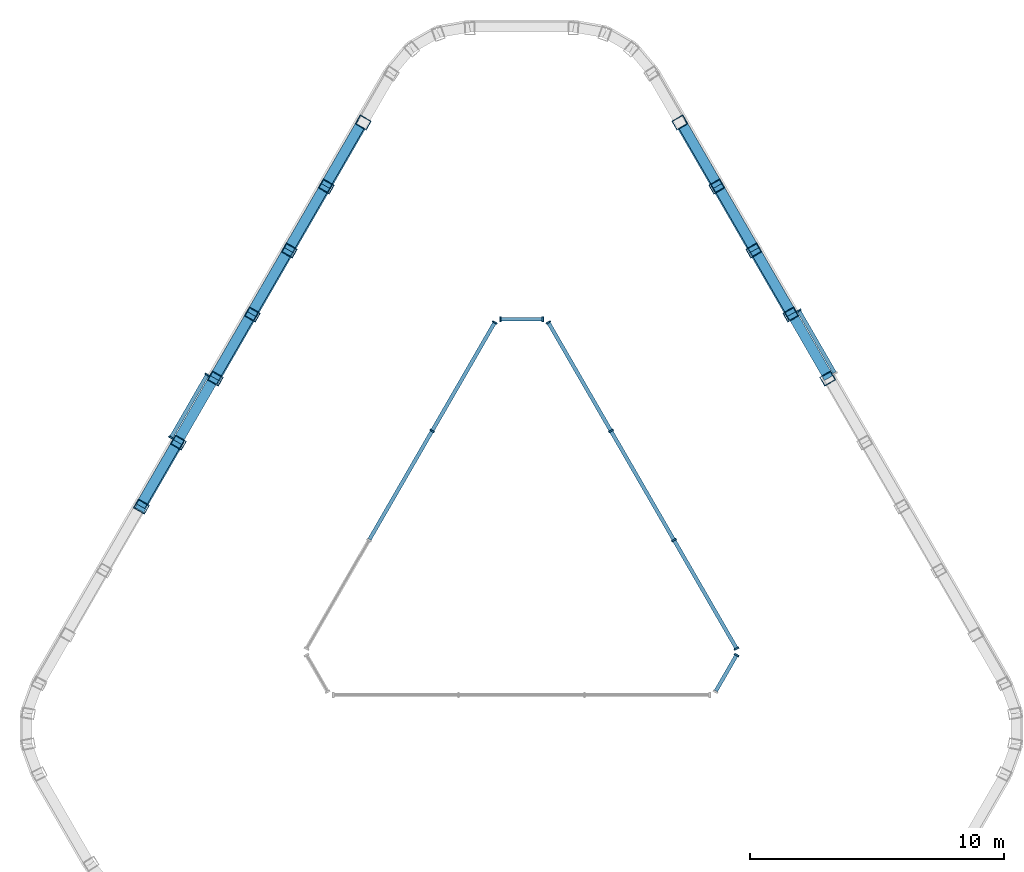
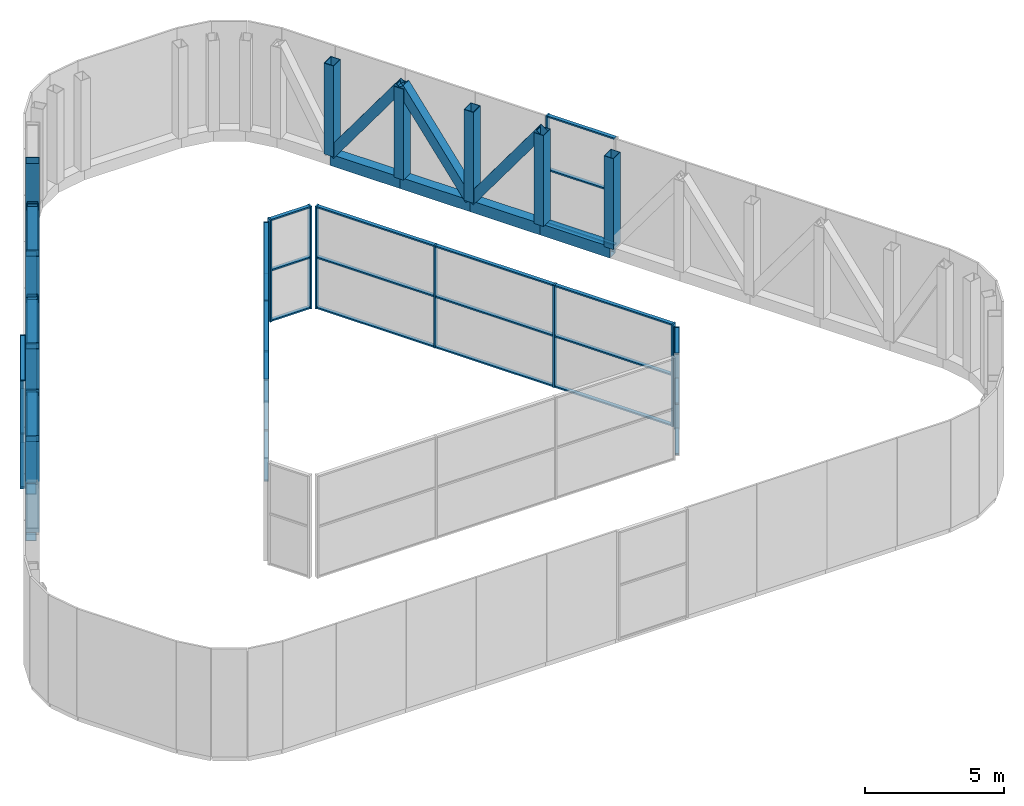
# One storey, part 2 of 5: 69 members, 6 elements without a shape of their own.
"""IFC4 building model written with IfcOpenShell, lengths in metres."""

from ifc_helpers import new_model, si_unit, direction, frame, origin, origin_2d, place, context, subcontext, project, spatial, rectangle, hollow_rectangle, extrude, material, layer, layer_set, material_profile, profile_set, type_object, element, aggregate, save


model = new_model("IFC4")

# Units and contexts
model_context = context("Model", 3, precision=1e-05, world=origin(), true_north=direction((0.0, 1.0)))
body_context = subcontext(model_context, "Body", "Model", "MODEL_VIEW")
ifc_project = project(units=[si_unit("LENGTHUNIT", "METRE"), si_unit("AREAUNIT", "SQUARE_METRE"), si_unit("VOLUMEUNIT", "CUBIC_METRE"), si_unit("PLANEANGLEUNIT", "RADIAN"), si_unit("MASSUNIT", "GRAM", prefix="KILO")], contexts=[model_context])

# Site, building, storey
site_placement = place(None, origin())
site = spatial("IfcSite", under=ifc_project, at=site_placement, CompositionType="ELEMENT")
building_placement = place(site_placement, origin())
building = spatial("IfcBuilding", under=site, at=building_placement, Name="Apuvela Tower Hotel", CompositionType="ELEMENT")
storey_placement = place(building_placement, frame((0.0, 0.0, 366.800048828125)))
storey = spatial("IfcBuildingStorey", under=building, at=storey_placement, Name="R-6 ROOF", CompositionType="ELEMENT", Elevation=366.800048828125)

# Members
ifc_material_1 = material(Name="Steel S355, black paint system", Category="steel")
ifc_material_profile_1 = material_profile(ifc_material_1, hollow_rectangle(XDim=0.39990234375, YDim=0.39990234375, WallThickness=0.01611328125, at=origin_2d()), Name="HSS 400x400x16")
ifc_profile_set_1 = profile_set([ifc_material_profile_1], Name="Steel S355, black paint system")
member_type_1 = type_object("IfcMemberType", Name="ENV-CROWN-BRACE-400x400", PredefinedType="BRACE", material=ifc_profile_set_1)
for number, where, z_axis, x_axis, name in (
    (1, (-6.236572265625, 17.050537109375, 0.25), (-0.294239887517, -0.50972631864, 0.808456534811), (0.866062731661, -0.499935340648, 0.0), "Crown frame brace 8"),
    (2, (-9.1484375, 12.0068359375, 0.25), (0.294292360305, 0.509682392621, 0.808465129315), (-0.866005469285, 0.500034525977, 0.0), "Crown frame brace 9"),
    (3, (-9.1484375, 12.0068359375, 0.25), (-0.294292360305, -0.509682392621, 0.808465129315), (0.866005469285, -0.500034525977, 0.0), "Crown frame brace 10"),
    (4, (-12.060302734375, 6.963134765625, 0.25), (0.294239887517, 0.50972631864, 0.808456534811), (-0.866062731661, 0.499935340648, 0.0), "Crown frame brace 11"),
    (5, (-14.972412109375, 1.91943359375, 0.25), (0.294292360305, 0.509682392621, 0.808465129315), (-0.866005469285, 0.500034525977, 0.0), "Crown frame brace 13"),
    (6, (9.1484375, 12.0068359375, 0.25), (0.294292360305, -0.509682392621, 0.808465129315), (0.866005469285, 0.500034525977, 0.0), "Crown frame brace 47"),
    (7, (9.1484375, 12.0068359375, 0.25), (-0.294292360305, 0.509682392621, 0.808465129315), (-0.866005469285, -0.500034525977, 0.0), "Crown frame brace 48"),
    (8, (6.236572265625, 17.050537109375, 0.25), (0.294239887517, -0.50972631864, 0.808456534811), (0.866062731661, 0.499935340648, 0.0), "Crown frame brace 49"),
):
    element("IfcMember", number, at=place(storey_placement, frame(where, z_axis=z_axis, x_axis=x_axis)), inside=storey, type_object=member_type_1, Name=name, PredefinedType="BRACE", context=body_context, shape_type="SweptSolid", body=[
        extrude(hollow_rectangle(XDim=0.39990234375, YDim=0.39990234375, WallThickness=0.01611328125, at=origin_2d()), origin(), (0.0, 0.0, 1.0), 4.94775390625),
    ])
ifc_material_profile_2 = material_profile(ifc_material_1, hollow_rectangle(XDim=0.39990234375, YDim=0.5, WallThickness=0.02001953125, at=origin_2d()), Name="HSS 500x400x20")
ifc_profile_set_2 = profile_set([ifc_material_profile_2], Name="Steel S355, black paint system")
member_type_2 = type_object("IfcMemberType", Name="ENV-CROWN-POST-500x400", PredefinedType="POST", material=ifc_profile_set_2)
for number, where, z_axis, x_axis, name in (
    (9, (-6.236572265625, 17.050537109375, 0.25), (0.0, 0.0, 1.0), (-0.5, -0.866025403784, 0.0), "Crown frame post 8"),
    (10, (-7.6923828125, 14.528564453125, 0.25), (0.0, 0.0, 1.0), (-0.5, -0.866025403784, 0.0), "Crown frame post 9"),
    (11, (-9.1484375, 12.0068359375, 0.25), (0.0, 0.0, 1.0), (-0.5, -0.866025403784, 0.0), "Crown frame post 10"),
    (12, (-10.6044921875, 9.485107421875, 0.25), (0.0, 0.0, 1.0), (-0.5, -0.866025403784, 0.0), "Crown frame post 11"),
    (13, (-12.060302734375, 6.963134765625, 0.25), (0.0, 0.0, 1.0), (-0.5, -0.866025403784, 0.0), "Crown frame post 12"),
    (14, (-13.516357421875, 4.441162109375, 0.25), (0.0, 0.0, 1.0), (-0.5, -0.866025403784, 0.0), "Crown frame post 13"),
    (15, (-14.972412109375, 1.91943359375, 0.25), (0.0, 0.0, 1.0), (-0.5, -0.866025403784, 0.0), "Crown frame post 14"),
    (16, (12.060302734375, 6.963134765625, 0.25), (0.0, 0.0, 1.0), (-0.5, 0.866025403784, 0.0), "Crown frame post 46"),
    (17, (10.6044921875, 9.485107421875, 0.25), (0.0, 0.0, 1.0), (-0.5, 0.866025403784, 0.0), "Crown frame post 47"),
    (18, (9.1484375, 12.0068359375, 0.25), (0.0, 0.0, 1.0), (-0.5, 0.866025403784, 0.0), "Crown frame post 48"),
    (19, (7.6923828125, 14.528564453125, 0.25), (0.0, 0.0, 1.0), (-0.5, 0.866025403784, 0.0), "Crown frame post 49"),
    (20, (6.236572265625, 17.050537109375, 0.25), (0.0, 0.0, 1.0), (-0.5, 0.866025403784, 0.0), "Crown frame post 50"),
):
    element("IfcMember", number, at=place(storey_placement, frame(where, z_axis=z_axis, x_axis=x_axis)), inside=storey, type_object=member_type_2, Name=name, PredefinedType="POST", context=body_context, shape_type="SweptSolid", body=[
        extrude(hollow_rectangle(XDim=0.39990234375, YDim=0.5, WallThickness=0.02001953125, at=origin_2d()), origin(), (0.0, 0.0, 1.0), 4.0),
    ])
ifc_material_profile_3 = material_profile(ifc_material_1, hollow_rectangle(XDim=0.39990234375, YDim=0.5, WallThickness=0.01611328125, at=origin_2d()), Name="HSS 500x400x16")
ifc_profile_set_3 = profile_set([ifc_material_profile_3], Name="Steel S355, black paint system")
member_type_3 = type_object("IfcMemberType", Name="ENV-CROWN-RING-500x400", PredefinedType="STRINGER", material=ifc_profile_set_3)
member_1_placement = place(storey_placement, frame((-6.27783203125, 17.07861328125, 0.0), z_axis=(-0.500015065024, -0.866016705814, 0.0), x_axis=(0.866016705814, -0.500015065024, 0.0)))
element("IfcMember", 21, at=member_1_placement, inside=storey, type_object=member_type_3, Name="Crown frame ring beam 6.8", PredefinedType="STRINGER", context=body_context, shape_type="SweptSolid", body=[
    extrude(hollow_rectangle(XDim=0.39990234375, YDim=0.5, WallThickness=0.01611328125, at=origin_2d()), origin(), (0.0, 0.0, 1.0), 2.9130859375),
])
for number, where, z_axis, x_axis, name in (
    (22, (-7.734375, 14.555908203125, 0.0), (-0.500051359076, -0.865995749577, 0.0), (0.865995749577, -0.500051359076, 0.0), "Crown frame ring beam 6.9"),
    (23, (-9.19091796875, 12.033447265625, 0.0), (-0.499952204256, -0.866052996912, 0.0), (0.866052996912, -0.499952204256, 0.0), "Crown frame ring beam 6.10"),
):
    element("IfcMember", number, at=place(storey_placement, frame(where, z_axis=z_axis, x_axis=x_axis)), inside=storey, type_object=member_type_3, Name=name, PredefinedType="STRINGER", context=body_context, shape_type="SweptSolid", body=[
        extrude(hollow_rectangle(XDim=0.39990234375, YDim=0.5, WallThickness=0.01611328125, at=origin_2d()), origin(), (0.0, 0.0, 1.0), 2.912841796875),
    ])
for number, where, z_axis, x_axis, name in (
    (24, (-10.647216796875, 9.5107421875, 0.0), (-0.500015065024, -0.866016705814, 0.0), (0.866016705814, -0.500015065024, 0.0), "Crown frame ring beam 6.11"),
    (25, (-12.103759765625, 6.988037109375, 0.0), (-0.500015065024, -0.866016705814, 0.0), (0.866016705814, -0.500015065024, 0.0), "Crown frame ring beam 6.12"),
):
    element("IfcMember", number, at=place(storey_placement, frame(where, z_axis=z_axis, x_axis=x_axis)), inside=storey, type_object=member_type_3, Name=name, PredefinedType="STRINGER", context=body_context, shape_type="SweptSolid", body=[
        extrude(hollow_rectangle(XDim=0.39990234375, YDim=0.5, WallThickness=0.01611328125, at=origin_2d()), origin(), (0.0, 0.0, 1.0), 2.9130859375),
    ])
member_2_placement = place(storey_placement, frame((-13.560302734375, 4.46533203125, 0.0), z_axis=(-0.499988496788, -0.866032045065, 0.0), x_axis=(0.866032045065, -0.499988496788, 0.0)))
element("IfcMember", 26, at=member_2_placement, inside=storey, type_object=member_type_3, Name="Crown frame ring beam 6.13", PredefinedType="STRINGER", context=body_context, shape_type="SweptSolid", body=[
    extrude(hollow_rectangle(XDim=0.39990234375, YDim=0.5, WallThickness=0.01611328125, at=origin_2d()), origin(), (0.0, 0.0, 1.0), 2.91259765625),
])
member_3_placement = place(storey_placement, frame((12.103759765625, 6.988037109375, 0.0), z_axis=(-0.500015065024, 0.866016705814, 0.0), x_axis=(-0.866016705814, -0.500015065024, 0.0)))
element("IfcMember", 27, at=member_3_placement, inside=storey, type_object=member_type_3, Name="Crown frame ring beam 6.46", PredefinedType="STRINGER", context=body_context, shape_type="SweptSolid", body=[
    extrude(hollow_rectangle(XDim=0.39990234375, YDim=0.5, WallThickness=0.01611328125, at=origin_2d()), origin(), (0.0, 0.0, 1.0), 2.9130859375),
])
for number, where, z_axis, x_axis, name in (
    (28, (10.647216796875, 9.5107421875, 0.0), (-0.499952204256, 0.866052996912, 0.0), (-0.866052996912, -0.499952204256, 0.0), "Crown frame ring beam 6.47"),
    (29, (9.19091796875, 12.033447265625, 0.0), (-0.500051359076, 0.865995749577, 0.0), (-0.865995749577, -0.500051359076, 0.0), "Crown frame ring beam 6.48"),
):
    element("IfcMember", number, at=place(storey_placement, frame(where, z_axis=z_axis, x_axis=x_axis)), inside=storey, type_object=member_type_3, Name=name, PredefinedType="STRINGER", context=body_context, shape_type="SweptSolid", body=[
        extrude(hollow_rectangle(XDim=0.39990234375, YDim=0.5, WallThickness=0.01611328125, at=origin_2d()), origin(), (0.0, 0.0, 1.0), 2.912841796875),
    ])
member_4_placement = place(storey_placement, frame((7.734375, 14.555908203125, 0.0), z_axis=(-0.500015065024, 0.866016705814, 0.0), x_axis=(-0.866016705814, -0.500015065024, 0.0)))
element("IfcMember", 30, at=member_4_placement, inside=storey, type_object=member_type_3, Name="Crown frame ring beam 6.49", PredefinedType="STRINGER", context=body_context, shape_type="SweptSolid", body=[
    extrude(hollow_rectangle(XDim=0.39990234375, YDim=0.5, WallThickness=0.01611328125, at=origin_2d()), origin(), (0.0, 0.0, 1.0), 2.9130859375),
])

# Curtain wall, members
ifc_material_2 = material(Name="Aluminium 6063-T6, dark bronze anodised", Category="aluminium")
ifc_layer_1 = layer(ifc_material_2, 0.199951171875)
ifc_layer_set_1 = layer_set([ifc_layer_1], Name="ENV-CW-C")
curtain_wall_type_1 = type_object("IfcCurtainWallType", Name="ENV-CW-C", PredefinedType="NOTDEFINED", material=ifc_layer_set_1)
curtain_wall_1_placement = place(storey_placement, origin())
curtain_wall_1 = element("IfcCurtainWall", 31, at=curtain_wall_1_placement, inside=storey, type_object=curtain_wall_type_1, Name="Crown glazing 12 R-6 ROOF", PredefinedType="NOTDEFINED")
ifc_material_profile_4 = material_profile(ifc_material_2, rectangle(XDim=0.199951171875, YDim=0.06494140625, at=origin_2d()), Name="AL 65x200")
ifc_profile_set_4 = profile_set([ifc_material_profile_4], Name="Aluminium 6063-T6, dark bronze anodised")
member_type_4 = type_object("IfcMemberType", Name="ENV-MULLION-65x200", PredefinedType="MULLION", material=ifc_profile_set_4)
member_5_placement = place(storey_placement, frame((-12.3798828125, 7.10986328125, 0.0), z_axis=(0.0, 0.0, 1.0), x_axis=(0.866036603266, -0.499980601426, 0.0)))
member_5 = element("IfcMember", 32, at=member_5_placement, type_object=member_type_4, Name="CW-C mullion 1", PredefinedType="MULLION", context=body_context, shape_type="SweptSolid", body=[
    extrude(rectangle(XDim=0.199951171875, YDim=0.06494140625, at=origin_2d()), origin(), (0.0, 0.0, 1.0), 4.75),
])
member_6_placement = place(storey_placement, frame((-13.805908203125, 4.6396484375, 0.0), z_axis=(0.0, 0.0, 1.0), x_axis=(0.866036603266, -0.499980601426, 0.0)))
member_6 = element("IfcMember", 33, at=member_6_placement, type_object=member_type_4, Name="CW-C mullion 2", PredefinedType="MULLION", context=body_context, shape_type="SweptSolid", body=[
    extrude(rectangle(XDim=0.199951171875, YDim=0.06494140625, at=origin_2d()), origin(), (0.0, 0.0, 1.0), 4.75),
])

# Curtain wall, member
curtain_wall_2_placement = place(storey_placement, origin())
curtain_wall_2 = element("IfcCurtainWall", 34, at=curtain_wall_2_placement, inside=storey, type_object=curtain_wall_type_1, Name="Crown glazing 46 R-6 ROOF", PredefinedType="NOTDEFINED")
member_7_placement = place(storey_placement, frame((10.921142578125, 9.636474609375, 0.0), z_axis=(0.0, 0.0, 1.0), x_axis=(-0.866021760657, -0.500006310028, 0.0)))
member_7 = element("IfcMember", 35, at=member_7_placement, type_object=member_type_4, Name="CW-C mullion 2", PredefinedType="MULLION", context=body_context, shape_type="SweptSolid", body=[
    extrude(rectangle(XDim=0.199951171875, YDim=0.06494140625, at=origin_2d()), origin(), (0.0, 0.0, 1.0), 4.75),
])

# Curtain wall, members
ifc_layer_2 = layer(ifc_material_2, 0.199951171875)
ifc_layer_set_2 = layer_set([ifc_layer_2], Name="ENV-CW-A")
curtain_wall_type_2 = type_object("IfcCurtainWallType", Name="ENV-CW-A", PredefinedType="NOTDEFINED", material=ifc_layer_set_2)
curtain_wall_3_placement = place(storey_placement, origin())
curtain_wall_3 = element("IfcCurtainWall", 36, at=curtain_wall_3_placement, inside=storey, type_object=curtain_wall_type_2, Name="Atrium glazing 1 R-6 ROOF", PredefinedType="NOTDEFINED")
member_8_placement = place(storey_placement, frame((0.83349609375, 9.300048828125, 0.0), z_axis=(0.0, 0.0, 1.0), x_axis=(0.0, -1.0, 0.0)))
member_8 = element("IfcMember", 37, at=member_8_placement, type_object=member_type_4, Name="CW-A mullion 1", PredefinedType="MULLION", context=body_context, shape_type="SweptSolid", body=[
    extrude(rectangle(XDim=0.199951171875, YDim=0.06494140625, at=origin_2d()), origin(), (0.0, 0.0, 1.0), 4.5),
])
member_9_placement = place(storey_placement, frame((-0.83349609375, 9.300048828125, 0.0), z_axis=(0.0, 0.0, 1.0), x_axis=(0.0, -1.0, 0.0)))
member_9 = element("IfcMember", 38, at=member_9_placement, type_object=member_type_4, Name="CW-A mullion 2", PredefinedType="MULLION", context=body_context, shape_type="SweptSolid", body=[
    extrude(rectangle(XDim=0.199951171875, YDim=0.06494140625, at=origin_2d()), origin(), (0.0, 0.0, 1.0), 4.5),
])

curtain_wall_4_placement = place(storey_placement, origin())
curtain_wall_4 = element("IfcCurtainWall", 39, at=curtain_wall_4_placement, inside=storey, type_object=curtain_wall_type_2, Name="Atrium glazing 2 R-6 ROOF", PredefinedType="NOTDEFINED")
member_10_placement = place(storey_placement, frame((-1.055419921875, 9.171875, 0.0), z_axis=(0.0, 0.0, 1.0), x_axis=(0.866025940778, -0.499999069899, 0.0)))
member_10 = element("IfcMember", 40, at=member_10_placement, type_object=member_type_4, Name="CW-A mullion 1", PredefinedType="MULLION", context=body_context, shape_type="SweptSolid", body=[
    extrude(rectangle(XDim=0.199951171875, YDim=0.06494140625, at=origin_2d()), origin(), (0.0, 0.0, 1.0), 4.5),
])
member_11_placement = place(storey_placement, frame((-3.521728515625, 4.89990234375, 0.0), z_axis=(0.0, 0.0, 1.0), x_axis=(0.866025940778, -0.499999069899, 0.0)))
member_11 = element("IfcMember", 41, at=member_11_placement, type_object=member_type_4, Name="CW-A mullion 2", PredefinedType="MULLION", context=body_context, shape_type="SweptSolid", body=[
    extrude(rectangle(XDim=0.199951171875, YDim=0.06494140625, at=origin_2d()), origin(), (0.0, 0.0, 1.0), 4.5),
])

# Curtain wall, member
curtain_wall_5_placement = place(storey_placement, origin())
curtain_wall_5 = element("IfcCurtainWall", 42, at=curtain_wall_5_placement, inside=storey, type_object=curtain_wall_type_2, Name="Atrium glazing 5 R-6 ROOF", PredefinedType="NOTDEFINED")
member_12_placement = place(storey_placement, frame((8.470703125, -3.92822265625, 0.0), z_axis=(0.0, 0.0, 1.0), x_axis=(-0.866031754706, 0.49998899972, 0.0)))
member_12 = element("IfcMember", 43, at=member_12_placement, type_object=member_type_4, Name="CW-A mullion 2", PredefinedType="MULLION", context=body_context, shape_type="SweptSolid", body=[
    extrude(rectangle(XDim=0.199951171875, YDim=0.06494140625, at=origin_2d()), origin(), (0.0, 0.0, 1.0), 4.5),
])

# Curtain wall, members
curtain_wall_6_placement = place(storey_placement, origin())
curtain_wall_6 = element("IfcCurtainWall", 44, at=curtain_wall_6_placement, inside=storey, type_object=curtain_wall_type_2, Name="Atrium glazing 6 R-6 ROOF", PredefinedType="NOTDEFINED")
member_13_placement = place(storey_placement, frame((8.470703125, -3.671875, 0.0), z_axis=(0.0, 0.0, 1.0), x_axis=(-0.866025940778, -0.499999069899, 0.0)))
member_13 = element("IfcMember", 45, at=member_13_placement, type_object=member_type_4, Name="CW-A mullion 1", PredefinedType="MULLION", context=body_context, shape_type="SweptSolid", body=[
    extrude(rectangle(XDim=0.199951171875, YDim=0.06494140625, at=origin_2d()), origin(), (0.0, 0.0, 1.0), 4.5),
])
member_14_placement = place(storey_placement, frame((6.00439453125, 0.60009765625, 0.0), z_axis=(0.0, 0.0, 1.0), x_axis=(-0.866025940778, -0.499999069899, 0.0)))
member_14 = element("IfcMember", 46, at=member_14_placement, type_object=member_type_4, Name="CW-A mullion 2", PredefinedType="MULLION", context=body_context, shape_type="SweptSolid", body=[
    extrude(rectangle(XDim=0.199951171875, YDim=0.06494140625, at=origin_2d()), origin(), (0.0, 0.0, 1.0), 4.5),
])
member_15_placement = place(storey_placement, frame((3.521728515625, 4.89990234375, 0.0), z_axis=(0.0, 0.0, 1.0), x_axis=(-0.866025940778, -0.499999069899, 0.0)))
member_15 = element("IfcMember", 47, at=member_15_placement, type_object=member_type_4, Name="CW-A mullion 3", PredefinedType="MULLION", context=body_context, shape_type="SweptSolid", body=[
    extrude(rectangle(XDim=0.199951171875, YDim=0.06494140625, at=origin_2d()), origin(), (0.0, 0.0, 1.0), 4.5),
])
member_16_placement = place(storey_placement, frame((1.055419921875, 9.171875, 0.0), z_axis=(0.0, 0.0, 1.0), x_axis=(-0.866025940778, -0.499999069899, 0.0)))
member_16 = element("IfcMember", 48, at=member_16_placement, type_object=member_type_4, Name="CW-A mullion 4", PredefinedType="MULLION", context=body_context, shape_type="SweptSolid", body=[
    extrude(rectangle(XDim=0.199951171875, YDim=0.06494140625, at=origin_2d()), origin(), (0.0, 0.0, 1.0), 4.5),
])

# Member
ifc_material_profile_5 = material_profile(ifc_material_2, rectangle(XDim=0.14990234375, YDim=0.06494140625, at=origin_2d()), Name="AL 65x150 transom")
ifc_profile_set_5 = profile_set([ifc_material_profile_5], Name="Aluminium 6063-T6, dark bronze anodised")
member_type_5 = type_object("IfcMemberType", Name="ENV-TRANSOM-65x150", PredefinedType="USERDEFINED", material=ifc_profile_set_5)
member_17_placement = place(storey_placement, frame((-12.39599609375, 7.081787109375, 0.032470703125), z_axis=(-0.500048472683, -0.865997416259, 0.0), x_axis=(0.865997416259, -0.500048472683, 0.0)))
member_17 = element("IfcMember", 49, at=member_17_placement, type_object=member_type_5, Name="CW-C transom 1.1", ObjectType="TRANSOM", PredefinedType="USERDEFINED", context=body_context, shape_type="SweptSolid", body=[
    extrude(rectangle(XDim=0.14990234375, YDim=0.06494140625, at=origin_2d()), origin(), (0.0, 0.0, 1.0), 2.787353515625),
])

member_18_placement = place(storey_placement, frame((-12.39599609375, 7.081787109375, 2.375), z_axis=(-0.500048472683, -0.865997416259, 0.0), x_axis=(0.865997416259, -0.500048472683, 0.0)))
member_18 = element("IfcMember", 50, at=member_18_placement, type_object=member_type_5, Name="CW-C transom 1.2", ObjectType="TRANSOM", PredefinedType="USERDEFINED", context=body_context, shape_type="SweptSolid", body=[
    extrude(rectangle(XDim=0.14990234375, YDim=0.06494140625, at=origin_2d()), origin(), (0.0, 0.0, 1.0), 2.787353515625),
])

member_19_placement = place(storey_placement, frame((-12.39599609375, 7.081787109375, 4.717529296875), z_axis=(-0.500048472683, -0.865997416259, 0.0), x_axis=(0.865997416259, -0.500048472683, 0.0)))
member_19 = element("IfcMember", 51, at=member_19_placement, type_object=member_type_5, Name="CW-C transom 1.3", ObjectType="TRANSOM", PredefinedType="USERDEFINED", context=body_context, shape_type="SweptSolid", body=[
    extrude(rectangle(XDim=0.14990234375, YDim=0.06494140625, at=origin_2d()), origin(), (0.0, 0.0, 1.0), 2.787353515625),
])

aggregate(curtain_wall_1, [member_5, member_6, member_17, member_18, member_19])

member_20_placement = place(storey_placement, frame((12.3310546875, 7.1943359375, 0.032470703125), z_axis=(-0.499944854726, 0.866057239582, 0.0), x_axis=(-0.866057239582, -0.499944854726, 0.0)))
member_20 = element("IfcMember", 52, at=member_20_placement, type_object=member_type_5, Name="CW-C transom 1.1", ObjectType="TRANSOM", PredefinedType="USERDEFINED", context=body_context, shape_type="SweptSolid", body=[
    extrude(rectangle(XDim=0.14990234375, YDim=0.06494140625, at=origin_2d()), origin(), (0.0, 0.0, 1.0), 2.787353515625),
])

member_21_placement = place(storey_placement, frame((12.3310546875, 7.1943359375, 2.375), z_axis=(-0.499944854726, 0.866057239582, 0.0), x_axis=(-0.866057239582, -0.499944854726, 0.0)))
member_21 = element("IfcMember", 53, at=member_21_placement, type_object=member_type_5, Name="CW-C transom 1.2", ObjectType="TRANSOM", PredefinedType="USERDEFINED", context=body_context, shape_type="SweptSolid", body=[
    extrude(rectangle(XDim=0.14990234375, YDim=0.06494140625, at=origin_2d()), origin(), (0.0, 0.0, 1.0), 2.787353515625),
])

member_22_placement = place(storey_placement, frame((12.3310546875, 7.1943359375, 4.717529296875), z_axis=(-0.499944854726, 0.866057239582, 0.0), x_axis=(-0.866057239582, -0.499944854726, 0.0)))
member_22 = element("IfcMember", 54, at=member_22_placement, type_object=member_type_5, Name="CW-C transom 1.3", ObjectType="TRANSOM", PredefinedType="USERDEFINED", context=body_context, shape_type="SweptSolid", body=[
    extrude(rectangle(XDim=0.14990234375, YDim=0.06494140625, at=origin_2d()), origin(), (0.0, 0.0, 1.0), 2.787353515625),
])

aggregate(curtain_wall_2, [member_7, member_20, member_21, member_22])

member_23_placement = place(storey_placement, frame((0.801025390625, 9.300048828125, 0.032470703125), z_axis=(-1.0, 0.0, 0.0), x_axis=(0.0, -1.0, 0.0)))
member_23 = element("IfcMember", 55, at=member_23_placement, type_object=member_type_5, Name="CW-A transom 1.1", ObjectType="TRANSOM", PredefinedType="USERDEFINED", context=body_context, shape_type="SweptSolid", body=[
    extrude(rectangle(XDim=0.14990234375, YDim=0.06494140625, at=origin_2d()), origin(), (0.0, 0.0, 1.0), 1.60205078125),
])

member_24_placement = place(storey_placement, frame((0.801025390625, 9.300048828125, 2.25), z_axis=(-1.0, 0.0, 0.0), x_axis=(0.0, -1.0, 0.0)))
member_24 = element("IfcMember", 56, at=member_24_placement, type_object=member_type_5, Name="CW-A transom 1.2", ObjectType="TRANSOM", PredefinedType="USERDEFINED", context=body_context, shape_type="SweptSolid", body=[
    extrude(rectangle(XDim=0.14990234375, YDim=0.06494140625, at=origin_2d()), origin(), (0.0, 0.0, 1.0), 1.60205078125),
])

member_25_placement = place(storey_placement, frame((0.801025390625, 9.300048828125, 4.467529296875), z_axis=(-1.0, 0.0, 0.0), x_axis=(0.0, -1.0, 0.0)))
member_25 = element("IfcMember", 57, at=member_25_placement, type_object=member_type_5, Name="CW-A transom 1.3", ObjectType="TRANSOM", PredefinedType="USERDEFINED", context=body_context, shape_type="SweptSolid", body=[
    extrude(rectangle(XDim=0.14990234375, YDim=0.06494140625, at=origin_2d()), origin(), (0.0, 0.0, 1.0), 1.60205078125),
])

aggregate(curtain_wall_3, [member_8, member_9, member_23, member_24, member_25])

member_26_placement = place(storey_placement, frame((-1.07177734375, 9.143798828125, 0.032470703125), z_axis=(-0.49999597136, -0.866027729709, 0.0), x_axis=(0.866027729709, -0.49999597136, 0.0)))
member_26 = element("IfcMember", 58, at=member_26_placement, type_object=member_type_5, Name="CW-A transom 1.1", ObjectType="TRANSOM", PredefinedType="USERDEFINED", context=body_context, shape_type="SweptSolid", body=[
    extrude(rectangle(XDim=0.14990234375, YDim=0.06494140625, at=origin_2d()), origin(), (0.0, 0.0, 1.0), 4.86767578125),
])

member_27_placement = place(storey_placement, frame((-1.07177734375, 9.143798828125, 2.25), z_axis=(-0.49999597136, -0.866027729709, 0.0), x_axis=(0.866027729709, -0.49999597136, 0.0)))
member_27 = element("IfcMember", 59, at=member_27_placement, type_object=member_type_5, Name="CW-A transom 1.2", ObjectType="TRANSOM", PredefinedType="USERDEFINED", context=body_context, shape_type="SweptSolid", body=[
    extrude(rectangle(XDim=0.14990234375, YDim=0.06494140625, at=origin_2d()), origin(), (0.0, 0.0, 1.0), 4.86767578125),
])

member_28_placement = place(storey_placement, frame((-1.07177734375, 9.143798828125, 4.467529296875), z_axis=(-0.49999597136, -0.866027729709, 0.0), x_axis=(0.866027729709, -0.49999597136, 0.0)))
member_28 = element("IfcMember", 60, at=member_28_placement, type_object=member_type_5, Name="CW-A transom 1.3", ObjectType="TRANSOM", PredefinedType="USERDEFINED", context=body_context, shape_type="SweptSolid", body=[
    extrude(rectangle(XDim=0.14990234375, YDim=0.06494140625, at=origin_2d()), origin(), (0.0, 0.0, 1.0), 4.86767578125),
])

member_29_placement = place(storey_placement, frame((-3.5380859375, 4.871826171875, 0.032470703125), z_axis=(-0.49998122708, -0.866036242063, 0.0), x_axis=(0.866036242063, -0.49998122708, 0.0)))
member_29 = element("IfcMember", 61, at=member_29_placement, type_object=member_type_5, Name="CW-A transom 2.1", ObjectType="TRANSOM", PredefinedType="USERDEFINED", context=body_context, shape_type="SweptSolid", body=[
    extrude(rectangle(XDim=0.14990234375, YDim=0.06494140625, at=origin_2d()), origin(), (0.0, 0.0, 1.0), 4.900146484375),
])

member_30_placement = place(storey_placement, frame((-3.5380859375, 4.871826171875, 2.25), z_axis=(-0.49998122708, -0.866036242063, 0.0), x_axis=(0.866036242063, -0.49998122708, 0.0)))
member_30 = element("IfcMember", 62, at=member_30_placement, type_object=member_type_5, Name="CW-A transom 2.2", ObjectType="TRANSOM", PredefinedType="USERDEFINED", context=body_context, shape_type="SweptSolid", body=[
    extrude(rectangle(XDim=0.14990234375, YDim=0.06494140625, at=origin_2d()), origin(), (0.0, 0.0, 1.0), 4.900146484375),
])

member_31_placement = place(storey_placement, frame((-3.5380859375, 4.871826171875, 4.467529296875), z_axis=(-0.49998122708, -0.866036242063, 0.0), x_axis=(0.866036242063, -0.49998122708, 0.0)))
member_31 = element("IfcMember", 63, at=member_31_placement, type_object=member_type_5, Name="CW-A transom 2.3", ObjectType="TRANSOM", PredefinedType="USERDEFINED", context=body_context, shape_type="SweptSolid", body=[
    extrude(rectangle(XDim=0.14990234375, YDim=0.06494140625, at=origin_2d()), origin(), (0.0, 0.0, 1.0), 4.900146484375),
])

aggregate(curtain_wall_4, [member_10, member_11, member_26, member_27, member_28, member_29, member_30, member_31])

member_32_placement = place(storey_placement, frame((7.653564453125, -5.34375, 0.032470703125), z_axis=(0.499990676028, 0.866030786915, 0.0), x_axis=(-0.866030786915, 0.499990676028, 0.0)))
member_32 = element("IfcMember", 64, at=member_32_placement, type_object=member_type_5, Name="CW-A transom 1.1", ObjectType="TRANSOM", PredefinedType="USERDEFINED", context=body_context, shape_type="SweptSolid", body=[
    extrude(rectangle(XDim=0.14990234375, YDim=0.06494140625, at=origin_2d()), origin(), (0.0, 0.0, 1.0), 1.60205078125),
])

member_33_placement = place(storey_placement, frame((7.653564453125, -5.34375, 2.25), z_axis=(0.499990676028, 0.866030786915, 0.0), x_axis=(-0.866030786915, 0.499990676028, 0.0)))
member_33 = element("IfcMember", 65, at=member_33_placement, type_object=member_type_5, Name="CW-A transom 1.2", ObjectType="TRANSOM", PredefinedType="USERDEFINED", context=body_context, shape_type="SweptSolid", body=[
    extrude(rectangle(XDim=0.14990234375, YDim=0.06494140625, at=origin_2d()), origin(), (0.0, 0.0, 1.0), 1.60205078125),
])

member_34_placement = place(storey_placement, frame((7.653564453125, -5.34375, 4.467529296875), z_axis=(0.499990676028, 0.866030786915, 0.0), x_axis=(-0.866030786915, 0.499990676028, 0.0)))
member_34 = element("IfcMember", 66, at=member_34_placement, type_object=member_type_5, Name="CW-A transom 1.3", ObjectType="TRANSOM", PredefinedType="USERDEFINED", context=body_context, shape_type="SweptSolid", body=[
    extrude(rectangle(XDim=0.14990234375, YDim=0.06494140625, at=origin_2d()), origin(), (0.0, 0.0, 1.0), 1.60205078125),
])

aggregate(curtain_wall_5, [member_12, member_32, member_33, member_34])

member_35_placement = place(storey_placement, frame((8.45458984375, -3.643798828125, 0.032470703125), z_axis=(-0.49999597136, 0.866027729709, 0.0), x_axis=(-0.866027729709, -0.49999597136, 0.0)))
member_35 = element("IfcMember", 67, at=member_35_placement, type_object=member_type_5, Name="CW-A transom 1.1", ObjectType="TRANSOM", PredefinedType="USERDEFINED", context=body_context, shape_type="SweptSolid", body=[
    extrude(rectangle(XDim=0.14990234375, YDim=0.06494140625, at=origin_2d()), origin(), (0.0, 0.0, 1.0), 4.86767578125),
])

member_36_placement = place(storey_placement, frame((8.45458984375, -3.643798828125, 2.25), z_axis=(-0.49999597136, 0.866027729709, 0.0), x_axis=(-0.866027729709, -0.49999597136, 0.0)))
member_36 = element("IfcMember", 68, at=member_36_placement, type_object=member_type_5, Name="CW-A transom 1.2", ObjectType="TRANSOM", PredefinedType="USERDEFINED", context=body_context, shape_type="SweptSolid", body=[
    extrude(rectangle(XDim=0.14990234375, YDim=0.06494140625, at=origin_2d()), origin(), (0.0, 0.0, 1.0), 4.86767578125),
])

member_37_placement = place(storey_placement, frame((8.45458984375, -3.643798828125, 4.467529296875), z_axis=(-0.49999597136, 0.866027729709, 0.0), x_axis=(-0.866027729709, -0.49999597136, 0.0)))
member_37 = element("IfcMember", 69, at=member_37_placement, type_object=member_type_5, Name="CW-A transom 1.3", ObjectType="TRANSOM", PredefinedType="USERDEFINED", context=body_context, shape_type="SweptSolid", body=[
    extrude(rectangle(XDim=0.14990234375, YDim=0.06494140625, at=origin_2d()), origin(), (0.0, 0.0, 1.0), 4.86767578125),
])

member_38_placement = place(storey_placement, frame((5.988037109375, 0.628173828125, 0.032470703125), z_axis=(-0.49998122708, 0.866036242063, 0.0), x_axis=(-0.866036242063, -0.49998122708, 0.0)))
member_38 = element("IfcMember", 70, at=member_38_placement, type_object=member_type_5, Name="CW-A transom 2.1", ObjectType="TRANSOM", PredefinedType="USERDEFINED", context=body_context, shape_type="SweptSolid", body=[
    extrude(rectangle(XDim=0.14990234375, YDim=0.06494140625, at=origin_2d()), origin(), (0.0, 0.0, 1.0), 4.900146484375),
])

member_39_placement = place(storey_placement, frame((5.988037109375, 0.628173828125, 2.25), z_axis=(-0.49998122708, 0.866036242063, 0.0), x_axis=(-0.866036242063, -0.49998122708, 0.0)))
member_39 = element("IfcMember", 71, at=member_39_placement, type_object=member_type_5, Name="CW-A transom 2.2", ObjectType="TRANSOM", PredefinedType="USERDEFINED", context=body_context, shape_type="SweptSolid", body=[
    extrude(rectangle(XDim=0.14990234375, YDim=0.06494140625, at=origin_2d()), origin(), (0.0, 0.0, 1.0), 4.900146484375),
])

member_40_placement = place(storey_placement, frame((5.988037109375, 0.628173828125, 4.467529296875), z_axis=(-0.49998122708, 0.866036242063, 0.0), x_axis=(-0.866036242063, -0.49998122708, 0.0)))
member_40 = element("IfcMember", 72, at=member_40_placement, type_object=member_type_5, Name="CW-A transom 2.3", ObjectType="TRANSOM", PredefinedType="USERDEFINED", context=body_context, shape_type="SweptSolid", body=[
    extrude(rectangle(XDim=0.14990234375, YDim=0.06494140625, at=origin_2d()), origin(), (0.0, 0.0, 1.0), 4.900146484375),
])

member_41_placement = place(storey_placement, frame((3.505615234375, 4.92822265625, 0.032470703125), z_axis=(-0.49999597136, 0.866027729709, 0.0), x_axis=(-0.866027729709, -0.49999597136, 0.0)))
member_41 = element("IfcMember", 73, at=member_41_placement, type_object=member_type_5, Name="CW-A transom 3.1", ObjectType="TRANSOM", PredefinedType="USERDEFINED", context=body_context, shape_type="SweptSolid", body=[
    extrude(rectangle(XDim=0.14990234375, YDim=0.06494140625, at=origin_2d()), origin(), (0.0, 0.0, 1.0), 4.86767578125),
])

member_42_placement = place(storey_placement, frame((3.505615234375, 4.92822265625, 2.25), z_axis=(-0.49999597136, 0.866027729709, 0.0), x_axis=(-0.866027729709, -0.49999597136, 0.0)))
member_42 = element("IfcMember", 74, at=member_42_placement, type_object=member_type_5, Name="CW-A transom 3.2", ObjectType="TRANSOM", PredefinedType="USERDEFINED", context=body_context, shape_type="SweptSolid", body=[
    extrude(rectangle(XDim=0.14990234375, YDim=0.06494140625, at=origin_2d()), origin(), (0.0, 0.0, 1.0), 4.86767578125),
])

member_43_placement = place(storey_placement, frame((3.505615234375, 4.92822265625, 4.467529296875), z_axis=(-0.49999597136, 0.866027729709, 0.0), x_axis=(-0.866027729709, -0.49999597136, 0.0)))
member_43 = element("IfcMember", 75, at=member_43_placement, type_object=member_type_5, Name="CW-A transom 3.3", ObjectType="TRANSOM", PredefinedType="USERDEFINED", context=body_context, shape_type="SweptSolid", body=[
    extrude(rectangle(XDim=0.14990234375, YDim=0.06494140625, at=origin_2d()), origin(), (0.0, 0.0, 1.0), 4.86767578125),
])

aggregate(curtain_wall_6, [member_13, member_14, member_15, member_16, member_35, member_36, member_37, member_38, member_39, member_40, member_41, member_42, member_43])

save(model, "model.ifc")
